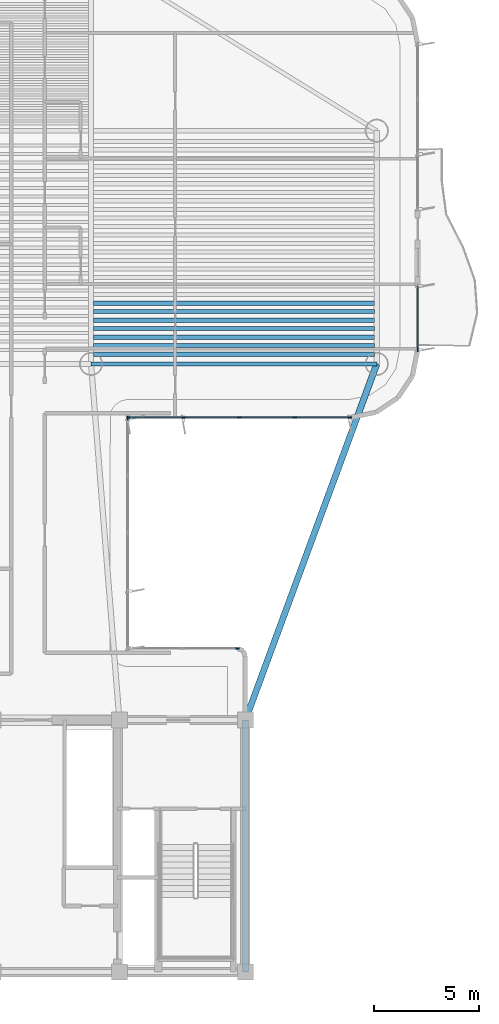
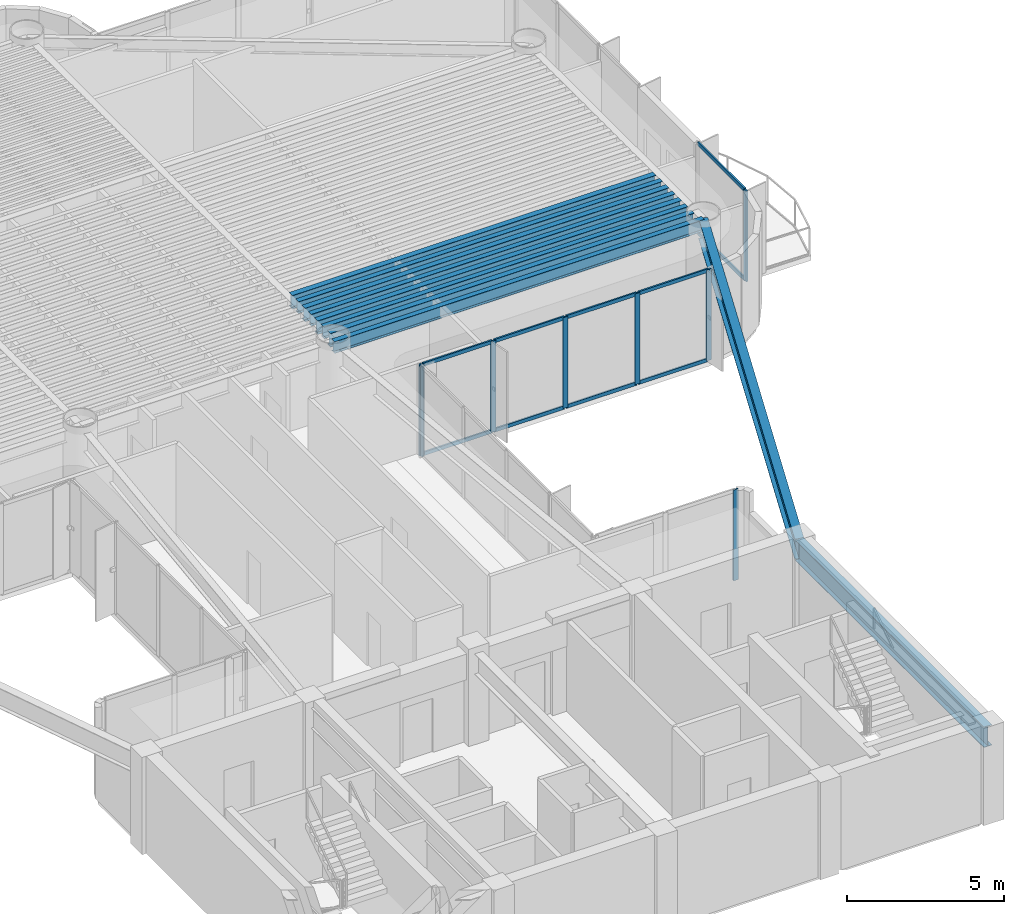
# One storey, part 4 of 15: 18 members, 10 beams, 4 elements without a shape of their own.
"""IFC4 building model written with IfcOpenShell, lengths in metres."""

import ifcopenshell
import ifcopenshell.guid

model = None  # the IFC model being written
_history = None  # IfcOwnerHistory: only IFC2X3 demands one
_inside = {}  # id of a spatial element -> (the spatial element, [elements in it])
_under = {}  # id of a project, library or spatial element -> (it, [spatial elements below it])
_declared = {}  # id of a project -> (the project, [libraries it declares])
_typed = {}  # id of a type object -> (the type object, [elements of that type])
_made_of = {}  # id of a material, layer set ... -> (it, [elements and type objects made of it])


def new_model(schema):
    """Start an empty IFC model of exactly this schema.

    Asked for "IFC4X3", IfcOpenShell would pick the latest addendum, in which some entities
    have other attributes; the version numbers below select the first issue.
    IFC2X3 requires an IfcOwnerHistory on every rooted entity: one is made here for all.
    """
    global model, _history
    if schema == "IFC4X3":
        model = ifcopenshell.file(schema_version=(4, 3, 0, 0))
    else:
        model = ifcopenshell.file(schema=schema)
    _inside.clear()
    _under.clear()
    _declared.clear()
    _typed.clear()
    _made_of.clear()
    _history = None
    if model.schema == "IFC2X3":
        org = make("IfcOrganization", Name="unknown")
        user = make(
            "IfcPersonAndOrganization",
            ThePerson=make("IfcPerson", FamilyName="unknown"),
            TheOrganization=org,
        )
        app = make(
            "IfcApplication",
            ApplicationDeveloper=org,
            Version="unknown",
            ApplicationFullName="unknown",
            ApplicationIdentifier="unknown",
        )
        _history = make(
            "IfcOwnerHistory",
            OwningUser=user,
            OwningApplication=app,
            ChangeAction="ADDED",
            CreationDate=0,
        )
    return model


def make(cls, **values):
    """One entity of the class cls with the attributes given. An attribute that is None is left unset."""
    return model.create_entity(
        cls, **{name: value for name, value in values.items() if value is not None}
    )


def rooted(cls, **values):
    """An entity with a GlobalId (a new one), such as an element, a storey or a relation."""
    return make(cls, GlobalId=ifcopenshell.guid.new(), OwnerHistory=_history, **values)


def si_unit(unit_type, name, prefix=None):
    """IfcSIUnit, for example si_unit("LENGTHUNIT", "METRE", prefix="MILLI")."""
    return make("IfcSIUnit", UnitType=unit_type, Prefix=prefix, Name=name)


def assignment(units):
    """IfcUnitAssignment: the units of a project."""
    return None if units is None else make("IfcUnitAssignment", Units=units)


def point(xyz):
    """IfcCartesianPoint."""
    return None if xyz is None else make("IfcCartesianPoint", Coordinates=xyz)


def direction(xyz):
    """IfcDirection."""
    return None if xyz is None else make("IfcDirection", DirectionRatios=xyz)


def frame(location, z_axis=None, x_axis=None):
    """IfcAxis2Placement3D, a coordinate frame: its origin and axes. An axis left out is left unset."""
    return make(
        "IfcAxis2Placement3D",
        Location=point(location),
        Axis=direction(z_axis),
        RefDirection=direction(x_axis),
    )


def frame_2d(location, x_axis=None):
    """IfcAxis2Placement2D, a coordinate frame in the plane: its origin and x axis."""
    return make(
        "IfcAxis2Placement2D", Location=point(location), RefDirection=direction(x_axis)
    )


def origin():
    """The frame at (0, 0, 0) with its axes left unset."""
    return frame((0.0, 0.0, 0.0))


def origin_2d():
    """The frame at (0, 0) in the plane with its x axis left unset."""
    return frame_2d((0.0, 0.0))


def place(relative_to, where):
    """IfcLocalPlacement: puts the frame where relative to a parent placement (None: the world)."""
    return make(
        "IfcLocalPlacement", PlacementRelTo=relative_to, RelativePlacement=where
    )


def context(
    kind, dimensions, precision=None, world=None, true_north=None, identifier=None
):
    """IfcGeometricRepresentationContext, for example the 3D "Model" context."""
    return make(
        "IfcGeometricRepresentationContext",
        ContextIdentifier=identifier,
        ContextType=kind,
        CoordinateSpaceDimension=dimensions,
        Precision=precision,
        WorldCoordinateSystem=world,
        TrueNorth=true_north,
    )


def subcontext(parent, identifier, kind, view, scale=None):
    """IfcGeometricRepresentationSubContext, for example "Body" below "Model"."""
    return make(
        "IfcGeometricRepresentationSubContext",
        ContextIdentifier=identifier,
        ContextType=kind,
        ParentContext=parent,
        TargetScale=scale,
        TargetView=view,
    )


def project(units=None, contexts=None):
    """IfcProject with its units and contexts."""
    return rooted(
        "IfcProject",
        Name="project",
        RepresentationContexts=contexts,
        UnitsInContext=assignment(units),
    )


def spatial(cls, under=None, at=None, **own):
    """A site, building, storey or space (cls), placed at a placement, below another one or the project."""
    s = rooted(cls, ObjectPlacement=at, **own)
    if under is not None:
        _under.setdefault(under.id(), (under, []))[1].append(s)
    return s


def profile(cls, at=None, kind="AREA", **sizes):
    """A parametric profile (cls). Its sizes go by their IFC names, for example OverallWidth=200.0."""
    return make(cls, ProfileType=kind, Position=at, **sizes)


def rectangle(**sizes):
    """IfcRectangleProfileDef."""
    return profile("IfcRectangleProfileDef", **sizes)


def i_section(**sizes):
    """IfcIShapeProfileDef."""
    return profile("IfcIShapeProfileDef", **sizes)


def extrude(swept, where, along, depth):
    """IfcExtrudedAreaSolid: the profile swept, set in the frame where, extruded along a direction by depth."""
    return make(
        "IfcExtrudedAreaSolid",
        SweptArea=swept,
        Position=where,
        ExtrudedDirection=direction(along),
        Depth=depth,
    )


def shape(context_of_items, identifier, shape_type, items):
    """IfcShapeRepresentation: the items that make up one representation, for example the "Body"."""
    return make(
        "IfcShapeRepresentation",
        ContextOfItems=context_of_items,
        RepresentationIdentifier=identifier,
        RepresentationType=shape_type,
        Items=items,
    )


def source(mapping_origin, context_of_items, identifier, shape_type, items):
    """IfcRepresentationMap: a shape defined once, which mapped items show again and again."""
    return make(
        "IfcRepresentationMap",
        MappingOrigin=mapping_origin,
        MappedRepresentation=shape(context_of_items, identifier, shape_type, items),
    )


def transform(
    local_origin,
    x_axis=None,
    y_axis=None,
    z_axis=None,
    scale=None,
    scale2=None,
    scale3=None,
    uniform=True,
):
    """IfcCartesianTransformationOperator3D, or its non-uniform kind. x_axis, y_axis, z_axis: its Axis1, 2, 3."""
    if uniform:
        return make(
            "IfcCartesianTransformationOperator3D",
            Axis1=direction(x_axis),
            Axis2=direction(y_axis),
            LocalOrigin=point(local_origin),
            Scale=scale,
            Axis3=direction(z_axis),
        )
    return make(
        "IfcCartesianTransformationOperator3DnonUniform",
        Axis1=direction(x_axis),
        Axis2=direction(y_axis),
        LocalOrigin=point(local_origin),
        Scale=scale,
        Axis3=direction(z_axis),
        Scale2=scale2,
        Scale3=scale3,
    )


def mapped(mapping_source, mapping_target):
    """IfcMappedItem: shows the shape of a source again, moved by a transform."""
    return make(
        "IfcMappedItem", MappingSource=mapping_source, MappingTarget=mapping_target
    )


def material(Name=None, Category=None):
    """IfcMaterial."""
    return make("IfcMaterial", Name=Name, Category=Category)


def layer(
    of_material, thickness, ventilated=None, Name=None, Category=None, Priority=None
):
    """IfcMaterialLayer: one layer of a wall or slab, of a material (None: an air gap)."""
    return make(
        "IfcMaterialLayer",
        Material=of_material,
        LayerThickness=thickness,
        IsVentilated=ventilated,
        Name=Name,
        Category=Category,
        Priority=Priority,
    )


def layer_set(layers, Name=None):
    """IfcMaterialLayerSet."""
    return make("IfcMaterialLayerSet", MaterialLayers=layers, LayerSetName=Name)


def material_profile(
    of_material, cross_section, Name=None, Category=None, Priority=None
):
    """IfcMaterialProfile: a cross section and its material."""
    return make(
        "IfcMaterialProfile",
        Name=Name,
        Material=of_material,
        Profile=cross_section,
        Priority=Priority,
        Category=Category,
    )


def profile_set(profiles, Name=None, composite=None):
    """IfcMaterialProfileSet."""
    return make(
        "IfcMaterialProfileSet",
        Name=Name,
        MaterialProfiles=profiles,
        CompositeProfile=composite,
    )


def made_of(thing, what):
    """Note that an element or type object is made of a material, layer set ...; save() writes the relation."""
    if what is not None:
        _made_of.setdefault(what.id(), (what, []))[1].append(thing)
    return thing


def type_object(cls, material=None, **own):
    """A type object (cls), such as IfcWallType, which elements share."""
    return made_of(rooted(cls, **own), material)


def element(
    cls,
    number,
    at=None,
    inside=None,
    cuts=None,
    type_object=None,
    material=None,
    context=None,
    identifier="Body",
    shape_type=None,
    held_by="IfcProductDefinitionShape",
    body=None,
    shapes=None,
    **own,
):
    """One element of the class cls, such as IfcWall. Its Tag is "e" and its number.

    at: its placement. inside: the storey or other place that contains it. cuts: it is an
    opening in that element (IfcRelVoidsElement). A single representation is given by context,
    identifier, shape_type and body (its items); several are given by shapes. held_by: the class
    of the entity that holds the representations. save() writes the other relations.
    """
    e = rooted(cls, Tag="e%d" % number, ObjectPlacement=at, **own)
    if body is not None:
        shapes = [shape(context, identifier, shape_type, body)]
    if shapes is not None:
        e.Representation = make(held_by, Representations=shapes)
    if inside is not None:
        _inside.setdefault(inside.id(), (inside, []))[1].append(e)
    if cuts is not None:
        rooted(
            "IfcRelVoidsElement", RelatingBuildingElement=cuts, RelatedOpeningElement=e
        )
    if type_object is not None:
        _typed.setdefault(type_object.id(), (type_object, []))[1].append(e)
    return made_of(e, material)


def aggregate(whole, parts):
    """IfcRelAggregates: a whole, such as a stair, and the parts it consists of."""
    return rooted("IfcRelAggregates", RelatingObject=whole, RelatedObjects=parts)


def save(model, path):
    """Write the relations noted so far, then the file.

    IfcRelAggregates (storeys below a building ...), IfcRelContainedInSpatialStructure (elements
    in a storey), IfcRelDefinesByType, IfcRelAssociatesMaterial and IfcRelDeclares: one each for
    every whole, place, type object, material and project.
    """
    for whole, parts in _under.values():
        aggregate(whole, parts)
    for where, things in _inside.values():
        rooted(
            "IfcRelContainedInSpatialStructure",
            RelatedElements=things,
            RelatingStructure=where,
        )
    for kind, things in _typed.values():
        rooted("IfcRelDefinesByType", RelatedObjects=things, RelatingType=kind)
    for what, things in _made_of.values():
        rooted("IfcRelAssociatesMaterial", RelatedObjects=things, RelatingMaterial=what)
    for by, libraries in _declared.values():
        rooted("IfcRelDeclares", RelatingContext=by, RelatedDefinitions=libraries)
    model.write(path)


model = new_model("IFC4")

# Units and contexts
model_context = context("Model", 3, precision=1e-05, world=origin(), true_north=direction((0.0, 1.0)))
body_context = subcontext(model_context, "Body", "Model", "MODEL_VIEW")
ifc_project = project(units=[si_unit("LENGTHUNIT", "METRE"), si_unit("AREAUNIT", "SQUARE_METRE"), si_unit("VOLUMEUNIT", "CUBIC_METRE"), si_unit("PLANEANGLEUNIT", "RADIAN"), si_unit("MASSUNIT", "GRAM", prefix="KILO")], contexts=[model_context])

# Site, building, storey
site_placement = place(None, origin())
site = spatial("IfcSite", under=ifc_project, at=site_placement, CompositionType="ELEMENT")
building_placement = place(site_placement, origin())
building = spatial("IfcBuilding", under=site, at=building_placement, Name="Brelvock Crest Care Tower", CompositionType="ELEMENT")
storey_placement = place(building_placement, frame((0.0, 0.0, 167.760009765625)))
storey = spatial("IfcBuildingStorey", under=building, at=storey_placement, Name="L42", CompositionType="ELEMENT", Elevation=167.760009765625)

# Beams
ifc_material_1 = material(Name="Steel Grade 350", Category="steel")
ifc_material_profile_1 = material_profile(ifc_material_1, i_section(OverallWidth=0.300048828125, OverallDepth=0.800048828125, WebThickness=0.013916015625, FlangeThickness=0.02197265625, at=origin_2d()), Name="800WB192")
ifc_profile_set_1 = profile_set([ifc_material_profile_1], Name="Steel Grade 350")
beam_type_1 = type_object("IfcBeamType", Name="BM-G5", PredefinedType="BEAM", material=ifc_profile_set_1)
shared_shape_1 = source(origin(), body_context, "Body", "SweptSolid", [
    extrude(i_section(OverallWidth=0.300048828125, OverallDepth=0.800048828125, WebThickness=0.013916015625, FlangeThickness=0.02197265625, at=origin_2d()), origin(), (0.0, 0.0, 1.0), 12.0),
])
beam_1_placement = place(storey_placement, frame((48.0, 6.0, 3.1298828125), z_axis=(0.0, 1.0, 0.0), x_axis=(-1.0, 0.0, 0.0)))
element("IfcBeam", 1, at=beam_1_placement, inside=storey, type_object=beam_type_1, Name="BM-COREX-L42-5", PredefinedType="BEAM", context=body_context, shape_type="MappedRepresentation", body=[
    mapped(shared_shape_1, transform((0.0, 0.0, 0.0), x_axis=(1.0, 0.0, 0.0), y_axis=(0.0, 1.0, 0.0), z_axis=(0.0, 0.0, 1.0), scale=1.0)),
])
ifc_material_profile_2 = material_profile(ifc_material_1, i_section(OverallWidth=0.208984375, OverallDepth=0.532958984375, WebThickness=0.01025390625, FlangeThickness=0.015625, FilletRadius=0.013916015625, at=origin_2d()), Name="530UB92.4")
ifc_profile_set_2 = profile_set([ifc_material_profile_2], Name="Steel Grade 350")
beam_type_2 = type_object("IfcBeamType", Name="BM-G2", PredefinedType="BEAM", material=ifc_profile_set_2)
shared_shape_2 = source(origin(), body_context, "Body", "SweptSolid", [
    extrude(i_section(OverallWidth=0.208984375, OverallDepth=0.532958984375, WebThickness=0.01025390625, FlangeThickness=0.015625, FilletRadius=0.013916015625, at=origin_2d()), origin(), (0.0, 0.0, 1.0), 13.3701171875),
])
for number, where, z_axis, x_axis, name in (
    (2, (40.764892578125, 35.416259765625, 3.263427734375), (1.0, 0.0, 0.0), (0.0, 1.0, 0.0), "BM-JE-L42-1"),
    (3, (40.764892578125, 36.2265625, 3.263427734375), (1.0, 0.0, 0.0), (0.0, 1.0, 0.0), "BM-JE-L42-3"),
    (4, (40.764892578125, 37.036865234375, 3.263427734375), (1.0, 0.0, 0.0), (0.0, 1.0, 0.0), "BM-JE-L42-5"),
    (5, (40.764892578125, 37.84716796875, 3.263427734375), (1.0, 0.0, 0.0), (0.0, 1.0, 0.0), "BM-JE-L42-7"),
):
    element("IfcBeam", number, at=place(storey_placement, frame(where, z_axis=z_axis, x_axis=x_axis)), inside=storey, type_object=beam_type_2, Name=name, PredefinedType="BEAM", context=body_context, shape_type="MappedRepresentation", body=[
        mapped(shared_shape_2, transform((0.0, 0.0, 0.0), x_axis=(1.0, 0.0, 0.0), y_axis=(0.0, 1.0, 0.0), z_axis=(0.0, 0.0, 1.0), scale=1.0)),
    ])
ifc_material_profile_3 = material_profile(ifc_material_1, i_section(OverallWidth=0.19091796875, OverallDepth=0.4599609375, WebThickness=0.010009765625, FlangeThickness=0.01611328125, FilletRadius=0.011474609375, at=origin_2d()), Name="460UB82.1")
ifc_profile_set_3 = profile_set([ifc_material_profile_3], Name="Steel Grade 350")
beam_type_3 = type_object("IfcBeamType", Name="BM-G3", PredefinedType="BEAM", material=ifc_profile_set_3)
shared_shape_3 = source(origin(), body_context, "Body", "SweptSolid", [
    extrude(i_section(OverallWidth=0.19091796875, OverallDepth=0.4599609375, WebThickness=0.010009765625, FlangeThickness=0.01611328125, FilletRadius=0.011474609375, at=origin_2d()), origin(), (0.0, 0.0, 1.0), 13.3701171875),
])
for number, where, z_axis, x_axis, name in (
    (6, (40.764892578125, 35.8212890625, 3.300048828125), (1.0, 0.0, 0.0), (0.0, 1.0, 0.0), "BM-JE-L42-2"),
    (7, (40.764892578125, 36.631591796875, 3.300048828125), (1.0, 0.0, 0.0), (0.0, 1.0, 0.0), "BM-JE-L42-4"),
    (8, (40.764892578125, 37.44189453125, 3.300048828125), (1.0, 0.0, 0.0), (0.0, 1.0, 0.0), "BM-JE-L42-6"),
):
    element("IfcBeam", number, at=place(storey_placement, frame(where, z_axis=z_axis, x_axis=x_axis)), inside=storey, type_object=beam_type_3, Name=name, PredefinedType="BEAM", context=body_context, shape_type="MappedRepresentation", body=[
        mapped(shared_shape_3, transform((0.0, 0.0, 0.0), x_axis=(1.0, 0.0, 0.0), y_axis=(0.0, 1.0, 0.0), z_axis=(0.0, 0.0, 1.0), scale=1.0)),
    ])
ifc_material_profile_4 = material_profile(ifc_material_1, i_section(OverallWidth=0.19091796875, OverallDepth=0.4599609375, WebThickness=0.010009765625, FlangeThickness=0.01611328125, FilletRadius=0.011474609375, at=origin_2d()), Name="460UB82.1")
ifc_profile_set_4 = profile_set([ifc_material_profile_4], Name="Steel Grade 350")
beam_type_4 = type_object("IfcBeamType", Name="BM-SP2", PredefinedType="SPANDREL", material=ifc_profile_set_4)
shared_shape_4 = source(origin(), body_context, "Body", "SweptSolid", [
    extrude(i_section(OverallWidth=0.19091796875, OverallDepth=0.4599609375, WebThickness=0.010009765625, FlangeThickness=0.01611328125, FilletRadius=0.011474609375, at=origin_2d()), origin(), (0.0, 0.0, 1.0), 13.60009765625),
])
beam_2_placement = place(storey_placement, frame((40.64990234375, 34.949951171875, 3.300048828125), z_axis=(1.0, 0.0, 0.0), x_axis=(0.0, 1.0, 0.0)))
element("IfcBeam", 9, at=beam_2_placement, inside=storey, type_object=beam_type_4, Name="BM-TWR-L42-04", PredefinedType="SPANDREL", context=body_context, shape_type="MappedRepresentation", body=[
    mapped(shared_shape_4, transform((0.0, 0.0, 0.0), x_axis=(1.0, 0.0, 0.0), y_axis=(0.0, 1.0, 0.0), z_axis=(0.0, 0.0, 1.0), scale=1.0)),
])
shared_shape_5 = source(origin(), body_context, "Body", "SweptSolid", [
    extrude(i_section(OverallWidth=0.300048828125, OverallDepth=0.800048828125, WebThickness=0.013916015625, FlangeThickness=0.02197265625, at=origin_2d()), origin(), (0.0, 0.0, 1.0), 18.0654296875),
])
beam_3_placement = place(storey_placement, frame((48.0, 18.0, 3.1298828125), z_axis=(0.345962741309, 0.938248251597, 0.0), x_axis=(-0.938248251597, 0.345962741309, 0.0)))
element("IfcBeam", 10, at=beam_3_placement, inside=storey, type_object=beam_type_1, Name="BM-THRO-E-L42", PredefinedType="BEAM", context=body_context, shape_type="MappedRepresentation", body=[
    mapped(shared_shape_5, transform((0.0, 0.0, 0.0), x_axis=(1.0, 0.0, 0.0), y_axis=(0.0, 1.0, 0.0), z_axis=(0.0, 0.0, 1.0), scale=1.0)),
])

# Curtain wall, member
ifc_material_2 = material(Name="Dark Glass Double Glazed Low-E", Category="glass")
ifc_layer = layer(ifc_material_2, 0.22509765625, Name="CWS-4")
ifc_layer_set = layer_set([ifc_layer], Name="Dark Glass Double Glazed Low-E")
curtain_wall_type = type_object("IfcCurtainWallType", Name="CWS-4", PredefinedType="NOTDEFINED", material=ifc_layer_set)
curtain_wall_1_placement = place(storey_placement, origin())
curtain_wall_1 = element("IfcCurtainWall", 11, at=curtain_wall_1_placement, inside=storey, type_object=curtain_wall_type, Name="L42 Curtain Wall E39B", PredefinedType="NOTDEFINED")
ifc_material_3 = material(Name="Aluminium 6063-T6", Category="aluminium")
ifc_material_profile_5 = material_profile(ifc_material_3, rectangle(XDim=0.06005859375, YDim=0.179931640625, at=origin_2d()), Name="ALU60x180")
ifc_profile_set_5 = profile_set([ifc_material_profile_5], Name="Aluminium 6063-T6")
member_type_1 = type_object("IfcMemberType", Name="CWM-2", PredefinedType="MULLION", material=ifc_profile_set_5)
shared_shape_6 = source(origin(), body_context, "Body", "SweptSolid", [
    extrude(rectangle(XDim=0.06005859375, YDim=0.179931640625, at=origin_2d()), origin(), (0.0, 0.0, 1.0), 3.530029296875),
])
member_1_placement = place(storey_placement, frame((56.199951171875, 35.6298828125, 0.0), z_axis=(0.0, 0.0, 1.0), x_axis=(1.0, 0.0, 0.0)))
member_1 = element("IfcMember", 12, at=member_1_placement, type_object=member_type_1, Name="CW-4 mullion 2", PredefinedType="MULLION", context=body_context, shape_type="MappedRepresentation", body=[
    mapped(shared_shape_6, transform((0.0, 0.0, 0.0), x_axis=(1.0, 0.0, 0.0), y_axis=(0.0, 1.0, 0.0), z_axis=(0.0, 0.0, 1.0), scale=1.0)),
])

# Curtain wall, members
curtain_wall_2_placement = place(storey_placement, origin())
curtain_wall_2 = element("IfcCurtainWall", 13, at=curtain_wall_2_placement, inside=storey, type_object=curtain_wall_type, Name="L42 Curtain Wall E44", PredefinedType="NOTDEFINED")
member_2_placement = place(storey_placement, frame((52.969970703125, 32.39990234375, 0.0), z_axis=(0.0, 0.0, 1.0), x_axis=(0.0, -1.0, 0.0)))
member_2 = element("IfcMember", 14, at=member_2_placement, type_object=member_type_1, Name="CW-4 mullion 1", PredefinedType="MULLION", context=body_context, shape_type="MappedRepresentation", body=[
    mapped(shared_shape_6, transform((0.0, 0.0, 0.0), x_axis=(1.0, 0.0, 0.0), y_axis=(0.0, 1.0, 0.0), z_axis=(0.0, 0.0, 1.0), scale=1.0)),
])
member_3_placement = place(storey_placement, frame((50.35009765625, 32.39990234375, 0.0), z_axis=(0.0, 0.0, 1.0), x_axis=(0.0, -1.0, 0.0)))
member_3 = element("IfcMember", 15, at=member_3_placement, type_object=member_type_1, Name="CW-4 mullion 2", PredefinedType="MULLION", context=body_context, shape_type="MappedRepresentation", body=[
    mapped(shared_shape_6, transform((0.0, 0.0, 0.0), x_axis=(1.0, 0.0, 0.0), y_axis=(0.0, 1.0, 0.0), z_axis=(0.0, 0.0, 1.0), scale=1.0)),
])
member_4_placement = place(storey_placement, frame((47.699951171875, 32.39990234375, 0.0), z_axis=(0.0, 0.0, 1.0), x_axis=(0.0, -1.0, 0.0)))
member_4 = element("IfcMember", 16, at=member_4_placement, type_object=member_type_1, Name="CW-4 mullion 3", PredefinedType="MULLION", context=body_context, shape_type="MappedRepresentation", body=[
    mapped(shared_shape_6, transform((0.0, 0.0, 0.0), x_axis=(1.0, 0.0, 0.0), y_axis=(0.0, 1.0, 0.0), z_axis=(0.0, 0.0, 1.0), scale=1.0)),
])
member_5_placement = place(storey_placement, frame((45.050048828125, 32.39990234375, 0.0), z_axis=(0.0, 0.0, 1.0), x_axis=(0.0, -1.0, 0.0)))
member_5 = element("IfcMember", 17, at=member_5_placement, type_object=member_type_1, Name="CW-4 mullion 4", PredefinedType="MULLION", context=body_context, shape_type="MappedRepresentation", body=[
    mapped(shared_shape_6, transform((0.0, 0.0, 0.0), x_axis=(1.0, 0.0, 0.0), y_axis=(0.0, 1.0, 0.0), z_axis=(0.0, 0.0, 1.0), scale=1.0)),
])
member_6_placement = place(storey_placement, frame((42.429931640625, 32.39990234375, 0.0), z_axis=(0.0, 0.0, 1.0), x_axis=(0.0, -1.0, 0.0)))
member_6 = element("IfcMember", 18, at=member_6_placement, type_object=member_type_1, Name="CW-4 mullion 5", PredefinedType="MULLION", context=body_context, shape_type="MappedRepresentation", body=[
    mapped(shared_shape_6, transform((0.0, 0.0, 0.0), x_axis=(1.0, 0.0, 0.0), y_axis=(0.0, 1.0, 0.0), z_axis=(0.0, 0.0, 1.0), scale=1.0)),
])

# Curtain wall, member
curtain_wall_3_placement = place(storey_placement, origin())
curtain_wall_3 = element("IfcCurtainWall", 19, at=curtain_wall_3_placement, inside=storey, type_object=curtain_wall_type, Name="L42 Curtain Wall E45", PredefinedType="NOTDEFINED")
member_7_placement = place(storey_placement, frame((42.39990234375, 32.3701171875, 0.0), z_axis=(0.0, 0.0, 1.0), x_axis=(1.0, 0.0, 0.0)))
member_7 = element("IfcMember", 20, at=member_7_placement, type_object=member_type_1, Name="CW-4 mullion 1", PredefinedType="MULLION", context=body_context, shape_type="MappedRepresentation", body=[
    mapped(shared_shape_6, transform((0.0, 0.0, 0.0), x_axis=(1.0, 0.0, 0.0), y_axis=(0.0, 1.0, 0.0), z_axis=(0.0, 0.0, 1.0), scale=1.0)),
])
aggregate(curtain_wall_3, [member_7])

curtain_wall_4_placement = place(storey_placement, origin())
curtain_wall_4 = element("IfcCurtainWall", 21, at=curtain_wall_4_placement, inside=storey, type_object=curtain_wall_type, Name="L42 Curtain Wall E46", PredefinedType="NOTDEFINED")
member_8_placement = place(storey_placement, frame((47.6201171875, 21.39990234375, 0.0), z_axis=(0.0, 0.0, 1.0), x_axis=(0.0, 1.0, 0.0)))
member_8 = element("IfcMember", 22, at=member_8_placement, type_object=member_type_1, Name="CW-4 mullion 3", PredefinedType="MULLION", context=body_context, shape_type="MappedRepresentation", body=[
    mapped(shared_shape_6, transform((0.0, 0.0, 0.0), x_axis=(1.0, 0.0, 0.0), y_axis=(0.0, 1.0, 0.0), z_axis=(0.0, 0.0, 1.0), scale=1.0)),
])
aggregate(curtain_wall_4, [member_8])

# Member
ifc_material_profile_6 = material_profile(ifc_material_3, rectangle(XDim=0.06005859375, YDim=0.139892578125, at=origin_2d()), Name="ALU60x140")
ifc_profile_set_6 = profile_set([ifc_material_profile_6], Name="Aluminium 6063-T6")
member_type_2 = type_object("IfcMemberType", Name="CWT-2", PredefinedType="USERDEFINED", material=ifc_profile_set_6)
shared_shape_7 = source(origin(), body_context, "Body", "SweptSolid", [
    extrude(rectangle(XDim=0.06005859375, YDim=0.139892578125, at=origin_2d()), origin(), (0.0, 0.0, 1.0), 2.56005859375),
])
member_9_placement = place(storey_placement, frame((52.93994140625, 32.39990234375, 0.030029296875), z_axis=(-1.0, 0.0, 0.0), x_axis=(0.0, -1.0, 0.0)))
member_9 = element("IfcMember", 23, at=member_9_placement, type_object=member_type_2, Name="CW-4 transom 1.1", ObjectType="TRANSOM", PredefinedType="USERDEFINED", context=body_context, shape_type="MappedRepresentation", body=[
    mapped(shared_shape_7, transform((0.0, 0.0, 0.0), x_axis=(1.0, 0.0, 0.0), y_axis=(0.0, 1.0, 0.0), z_axis=(0.0, 0.0, 1.0), scale=1.0)),
])

member_10_placement = place(storey_placement, frame((52.93994140625, 32.39990234375, 3.5), z_axis=(-1.0, 0.0, 0.0), x_axis=(0.0, -1.0, 0.0)))
member_10 = element("IfcMember", 24, at=member_10_placement, type_object=member_type_2, Name="CW-4 transom 1.2", ObjectType="TRANSOM", PredefinedType="USERDEFINED", context=body_context, shape_type="MappedRepresentation", body=[
    mapped(shared_shape_7, transform((0.0, 0.0, 0.0), x_axis=(1.0, 0.0, 0.0), y_axis=(0.0, 1.0, 0.0), z_axis=(0.0, 0.0, 1.0), scale=1.0)),
])

member_11_placement = place(storey_placement, frame((45.02001953125, 32.39990234375, 0.030029296875), z_axis=(-1.0, 0.0, 0.0), x_axis=(0.0, -1.0, 0.0)))
member_11 = element("IfcMember", 25, at=member_11_placement, type_object=member_type_2, Name="CW-4 transom 4.1", ObjectType="TRANSOM", PredefinedType="USERDEFINED", context=body_context, shape_type="MappedRepresentation", body=[
    mapped(shared_shape_7, transform((0.0, 0.0, 0.0), x_axis=(1.0, 0.0, 0.0), y_axis=(0.0, 1.0, 0.0), z_axis=(0.0, 0.0, 1.0), scale=1.0)),
])

member_12_placement = place(storey_placement, frame((45.02001953125, 32.39990234375, 3.5), z_axis=(-1.0, 0.0, 0.0), x_axis=(0.0, -1.0, 0.0)))
member_12 = element("IfcMember", 26, at=member_12_placement, type_object=member_type_2, Name="CW-4 transom 4.2", ObjectType="TRANSOM", PredefinedType="USERDEFINED", context=body_context, shape_type="MappedRepresentation", body=[
    mapped(shared_shape_7, transform((0.0, 0.0, 0.0), x_axis=(1.0, 0.0, 0.0), y_axis=(0.0, 1.0, 0.0), z_axis=(0.0, 0.0, 1.0), scale=1.0)),
])

shared_shape_8 = source(origin(), body_context, "Body", "SweptSolid", [
    extrude(rectangle(XDim=0.06005859375, YDim=0.139892578125, at=origin_2d()), origin(), (0.0, 0.0, 1.0), 2.58984375),
])
member_13_placement = place(storey_placement, frame((47.669921875, 32.39990234375, 0.030029296875), z_axis=(-1.0, 0.0, 0.0), x_axis=(0.0, -1.0, 0.0)))
member_13 = element("IfcMember", 27, at=member_13_placement, type_object=member_type_2, Name="CW-4 transom 3.1", ObjectType="TRANSOM", PredefinedType="USERDEFINED", context=body_context, shape_type="MappedRepresentation", body=[
    mapped(shared_shape_8, transform((0.0, 0.0, 0.0), x_axis=(1.0, 0.0, 0.0), y_axis=(0.0, 1.0, 0.0), z_axis=(0.0, 0.0, 1.0), scale=1.0)),
])

member_14_placement = place(storey_placement, frame((47.669921875, 32.39990234375, 3.5), z_axis=(-1.0, 0.0, 0.0), x_axis=(0.0, -1.0, 0.0)))
member_14 = element("IfcMember", 28, at=member_14_placement, type_object=member_type_2, Name="CW-4 transom 3.2", ObjectType="TRANSOM", PredefinedType="USERDEFINED", context=body_context, shape_type="MappedRepresentation", body=[
    mapped(shared_shape_8, transform((0.0, 0.0, 0.0), x_axis=(1.0, 0.0, 0.0), y_axis=(0.0, 1.0, 0.0), z_axis=(0.0, 0.0, 1.0), scale=1.0)),
])

shared_shape_9 = source(origin(), body_context, "Body", "SweptSolid", [
    extrude(rectangle(XDim=0.06005859375, YDim=0.139892578125, at=origin_2d()), origin(), (0.0, 0.0, 1.0), 2.590087890625),
])
member_15_placement = place(storey_placement, frame((50.320068359375, 32.39990234375, 0.030029296875), z_axis=(-1.0, 0.0, 0.0), x_axis=(0.0, -1.0, 0.0)))
member_15 = element("IfcMember", 29, at=member_15_placement, type_object=member_type_2, Name="CW-4 transom 2.1", ObjectType="TRANSOM", PredefinedType="USERDEFINED", context=body_context, shape_type="MappedRepresentation", body=[
    mapped(shared_shape_9, transform((0.0, 0.0, 0.0), x_axis=(1.0, 0.0, 0.0), y_axis=(0.0, 1.0, 0.0), z_axis=(0.0, 0.0, 1.0), scale=1.0)),
])

member_16_placement = place(storey_placement, frame((50.320068359375, 32.39990234375, 3.5), z_axis=(-1.0, 0.0, 0.0), x_axis=(0.0, -1.0, 0.0)))
member_16 = element("IfcMember", 30, at=member_16_placement, type_object=member_type_2, Name="CW-4 transom 2.2", ObjectType="TRANSOM", PredefinedType="USERDEFINED", context=body_context, shape_type="MappedRepresentation", body=[
    mapped(shared_shape_9, transform((0.0, 0.0, 0.0), x_axis=(1.0, 0.0, 0.0), y_axis=(0.0, 1.0, 0.0), z_axis=(0.0, 0.0, 1.0), scale=1.0)),
])

aggregate(curtain_wall_2, [member_2, member_3, member_4, member_5, member_6, member_9, member_10, member_15, member_16, member_13, member_14, member_11, member_12])

shared_shape_10 = source(origin(), body_context, "Body", "SweptSolid", [
    extrude(rectangle(XDim=0.06005859375, YDim=0.139892578125, at=origin_2d()), origin(), (0.0, 0.0, 1.0), 2.97998046875),
])
member_17_placement = place(storey_placement, frame((56.199951171875, 38.639892578125, 0.030029296875), z_axis=(0.0, -1.0, 0.0), x_axis=(1.0, 0.0, 0.0)))
member_17 = element("IfcMember", 31, at=member_17_placement, type_object=member_type_2, Name="CW-4 transom 1.1", ObjectType="TRANSOM", PredefinedType="USERDEFINED", context=body_context, shape_type="MappedRepresentation", body=[
    mapped(shared_shape_10, transform((0.0, 0.0, 0.0), x_axis=(1.0, 0.0, 0.0), y_axis=(0.0, 1.0, 0.0), z_axis=(0.0, 0.0, 1.0), scale=1.0)),
])

member_18_placement = place(storey_placement, frame((56.199951171875, 38.639892578125, 3.5), z_axis=(0.0, -1.0, 0.0), x_axis=(1.0, 0.0, 0.0)))
member_18 = element("IfcMember", 32, at=member_18_placement, type_object=member_type_2, Name="CW-4 transom 1.2", ObjectType="TRANSOM", PredefinedType="USERDEFINED", context=body_context, shape_type="MappedRepresentation", body=[
    mapped(shared_shape_10, transform((0.0, 0.0, 0.0), x_axis=(1.0, 0.0, 0.0), y_axis=(0.0, 1.0, 0.0), z_axis=(0.0, 0.0, 1.0), scale=1.0)),
])

aggregate(curtain_wall_1, [member_1, member_17, member_18])

save(model, "model.ifc")
